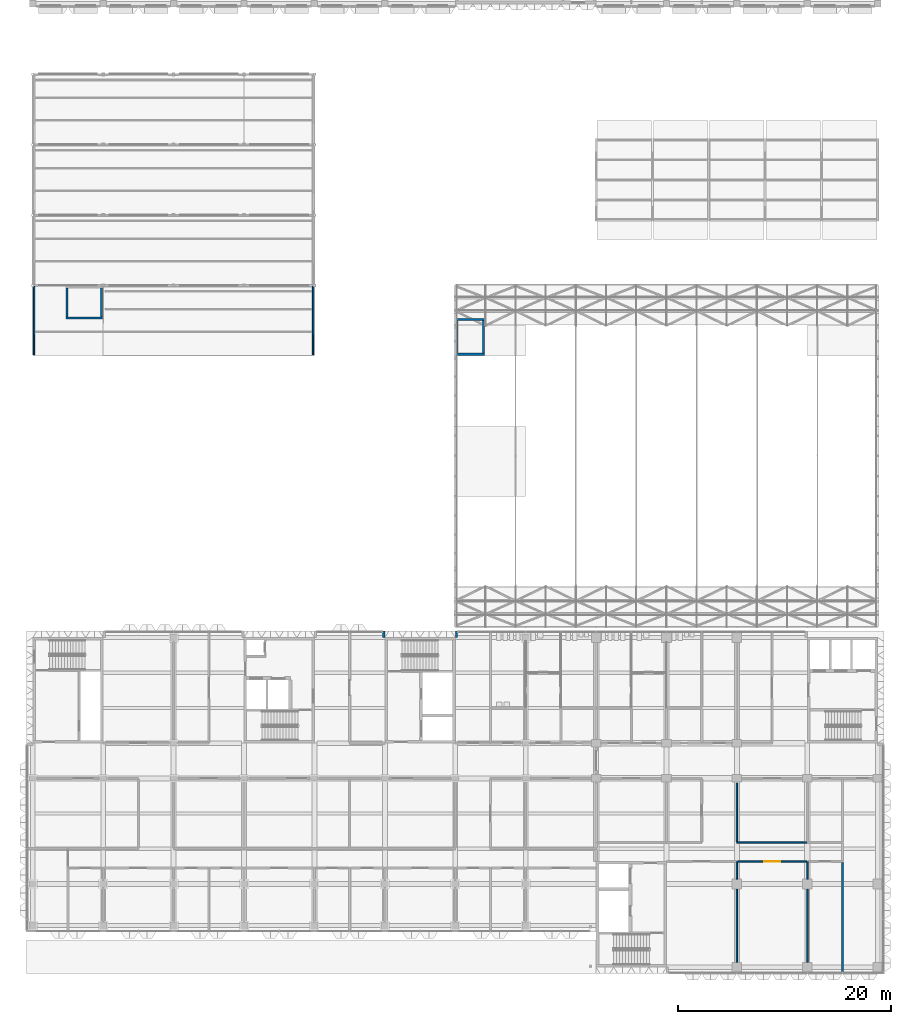
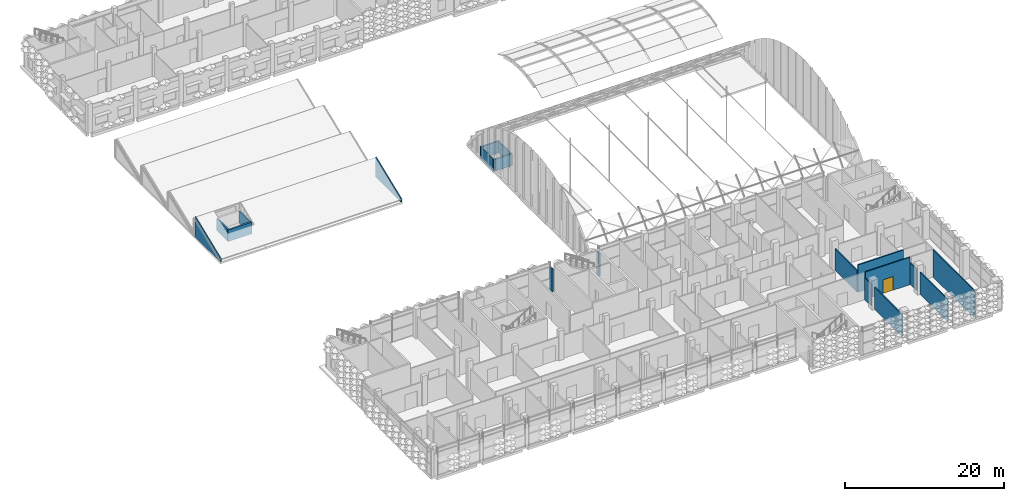
# One storey, part 54 of 109: 19 walls, 1 door, 1 opening.
"""IFC4 building model written with IfcOpenShell, lengths in metres."""

from ifc_helpers import new_model, si_unit, direction, frame, frame_2d, origin, place, context, subcontext, project, spatial, polyline, rectangle, outline, extrude, material, layer, layer_set, type_object, element, fill, save


model = new_model("IFC4")

# Units and contexts
model_context = context("Model", 3, precision=1e-05, world=origin(), true_north=direction((0.0, 1.0)))
body_context = subcontext(model_context, "Body", "Model", "MODEL_VIEW")
ifc_project = project(units=[si_unit("LENGTHUNIT", "METRE"), si_unit("AREAUNIT", "SQUARE_METRE"), si_unit("VOLUMEUNIT", "CUBIC_METRE"), si_unit("PLANEANGLEUNIT", "RADIAN"), si_unit("MASSUNIT", "GRAM", prefix="KILO")], contexts=[model_context])

# Site, building, storey
site_placement = place(None, origin())
site = spatial("IfcSite", under=ifc_project, at=site_placement, CompositionType="ELEMENT")
building_placement = place(site_placement, origin())
building = spatial("IfcBuilding", under=site, at=building_placement, Name="Lantern Court Research Institute", CompositionType="ELEMENT")
storey_placement = place(building_placement, frame((0.0, 0.0, 14.39990234375)))
storey = spatial("IfcBuildingStorey", under=building, at=storey_placement, Name="L03", CompositionType="ELEMENT", Elevation=14.39990234375)

# Walls
ifc_material_1 = material(Name="Reinforced masonry, concrete block C20/25", Category="masonry")
ifc_layer_1 = layer(ifc_material_1, 0.14990234375)
ifc_layer_set_1 = layer_set([ifc_layer_1], Name="Reinforced masonry, concrete block C20/25")
wall_type_1 = type_object("IfcWallType", Name="Clerestory upstand wall 150", PredefinedType="SOLIDWALL", material=ifc_layer_set_1)
for number, where, z_axis, x_axis, name in (
    (1, (0.1298828125, 49.625, 0.0), (0.0, 0.0, 1.0), (0.0, 1.0, 0.0), "Sawtooth end wall"),
    (2, (26.27001953125, 49.625, 0.0), (0.0, 0.0, 1.0), (0.0, 1.0, 0.0), "Sawtooth end wall"),
):
    element("IfcWall", number, at=place(storey_placement, frame(where, z_axis=z_axis, x_axis=x_axis)), inside=storey, type_object=wall_type_1, Name=name, PredefinedType="SOLIDWALL", context=body_context, shape_type="SweptSolid", body=[
        extrude(outline(polyline([(0.0, 0.0), (6.39990234375, 0.0), (6.39990234375, 3.019287109375), (0.0, 0.459228515625), (0.0, 0.0)])), frame((0.0, 0.074951171875, 0.0), z_axis=(0.0, -1.0, 0.0), x_axis=(1.0, 0.0, 0.0)), (0.0, 0.0, 1.0), 0.14990234375),
    ])
ifc_material_2 = material(Name="Fire-rated gypsum board partition, mineral wool filled")
ifc_layer_2 = layer(ifc_material_2, 0.14990234375)
ifc_layer_set_2 = layer_set([ifc_layer_2], Name="Fire-rated gypsum board partition, mineral wool filled")
wall_type_2 = type_object("IfcWallType", Name="Laboratory partition 150 EI 60", PredefinedType="PARTITIONING", material=ifc_layer_set_2)
wall_1_placement = place(storey_placement, frame((66.0, -7.35009765625, 0.0), z_axis=(0.0, 0.0, 1.0), x_axis=(0.0, 1.0, 0.0)))
element("IfcWall", 3, at=wall_1_placement, inside=storey, type_object=wall_type_2, Name="Laboratory partition 150 EI 60", PredefinedType="PARTITIONING", context=body_context, shape_type="SweptSolid", body=[
    extrude(rectangle(XDim=6.900146484375, YDim=0.14990234375, at=frame_2d((3.4501953125, 0.0))), origin(), (0.0, 0.0, 1.0), 3.400146484375),
])
wall_2_placement = place(storey_placement, frame((66.0, 0.449951171875, 0.0), z_axis=(0.0, 0.0, 1.0), x_axis=(0.0, 1.0, 0.0)))
element("IfcWall", 4, at=wall_2_placement, inside=storey, type_object=wall_type_2, Name="Laboratory partition 150 EI 60", PredefinedType="PARTITIONING", context=body_context, shape_type="SweptSolid", body=[
    extrude(rectangle(XDim=1.650146484375, YDim=0.14990234375, at=frame_2d((0.8251953125, 0.0))), origin(), (0.0, 0.0, 1.0), 3.300048828125),
])
wall_3_placement = place(storey_placement, frame((72.60009765625, -7.35009765625, 0.0), z_axis=(0.0, 0.0, 1.0), x_axis=(0.0, 1.0, 0.0)))
element("IfcWall", 5, at=wall_3_placement, inside=storey, type_object=wall_type_2, Name="Laboratory partition 150 EI 60", PredefinedType="PARTITIONING", context=body_context, shape_type="SweptSolid", body=[
    extrude(rectangle(XDim=6.900146484375, YDim=0.14990234375, at=frame_2d((3.4501953125, 0.0))), origin(), (0.0, 0.0, 1.0), 3.400146484375),
])
wall_4_placement = place(storey_placement, frame((72.60009765625, 0.449951171875, 0.0), z_axis=(0.0, 0.0, 1.0), x_axis=(0.0, 1.0, 0.0)))
element("IfcWall", 6, at=wall_4_placement, inside=storey, type_object=wall_type_2, Name="Laboratory partition 150 EI 60", PredefinedType="PARTITIONING", context=body_context, shape_type="SweptSolid", body=[
    extrude(rectangle(XDim=1.650146484375, YDim=0.14990234375, at=frame_2d((0.8251953125, 0.0))), origin(), (0.0, 0.0, 1.0), 3.300048828125),
])

# Wall, opening, door
wall_5_placement = place(storey_placement, frame((72.52490234375, 2.10009765625, 0.0), z_axis=(0.0, 0.0, 1.0), x_axis=(-1.0, 0.0, 0.0)))
wall_5 = element("IfcWall", 7, at=wall_5_placement, inside=storey, type_object=wall_type_2, Name="Laboratory partition 150 EI 60", PredefinedType="PARTITIONING", context=body_context, shape_type="SweptSolid", body=[
    extrude(rectangle(XDim=6.449951171875, YDim=0.14990234375, at=frame_2d((3.22509765625, 0.0))), origin(), (0.0, 0.0, 1.0), 4.2001953125),
])
opening_placement = place(wall_5_placement, frame((2.47509765625, 0.0, 0.0)))
opening = element("IfcOpeningElement", 8, at=opening_placement, cuts=wall_5, Name="Opening D5310", PredefinedType="OPENING", context=body_context, shape_type="SweptSolid", body=[
    extrude(rectangle(XDim=1.5, YDim=2.10009765625, at=frame_2d((0.75, 1.050048828125))), frame((0.0, 0.0849609375, 0.0), z_axis=(0.0, -1.0, 0.0), x_axis=(1.0, 0.0, 0.0)), (0.0, 0.0, 1.0), 0.169921875),
])
ifc_material_3 = material(Name="Solid-core timber door leaf with vision panel", Category="wood")
ifc_layer_3 = layer(ifc_material_3, 0.053955078125)
ifc_layer_set_3 = layer_set([ifc_layer_3], Name="Solid-core timber door leaf with vision panel")
door_type = type_object("IfcDoorType", Name="Laboratory double door 1500 x 2100 pair FD30S", OperationType="DOUBLE_DOOR_SINGLE_SWING", PredefinedType="DOOR", material=ifc_layer_set_3)
door_placement = place(opening_placement, origin())
door = element("IfcDoor", 9, at=door_placement, inside=storey, type_object=door_type, Name="Door D5310", OperationType="DOUBLE_DOOR_SINGLE_SWING", OverallHeight=2.10009765625, OverallWidth=1.5, PredefinedType="DOOR", context=body_context, shape_type="SweptSolid", body=[
    extrude(rectangle(XDim=1.5, YDim=2.10009765625, at=frame_2d((0.75, 1.050048828125))), frame((0.0, 0.02685546875, 0.0), z_axis=(0.0, -1.0, 0.0), x_axis=(1.0, 0.0, 0.0)), (0.0, 0.0, 1.0), 0.053955078125),
])
fill(opening, door)

# Walls
wall_6_placement = place(storey_placement, frame((75.89990234375, -8.25, 0.0), z_axis=(0.0, 0.0, 1.0), x_axis=(0.0, 1.0, 0.0)))
element("IfcWall", 10, at=wall_6_placement, inside=storey, type_object=wall_type_2, Name="Laboratory partition 150 EI 60", PredefinedType="PARTITIONING", context=body_context, shape_type="SweptSolid", body=[
    extrude(rectangle(XDim=10.27490234375, YDim=0.14990234375, at=frame_2d((5.137451171875, 0.0))), origin(), (0.0, 0.0, 1.0), 4.2001953125),
])
wall_7_placement = place(storey_placement, frame((72.60009765625, 3.89990234375, 0.0), z_axis=(0.0, 0.0, 1.0), x_axis=(-1.0, 0.0, 0.0)))
element("IfcWall", 11, at=wall_7_placement, inside=storey, type_object=wall_type_2, Name="Laboratory partition 150 EI 60", PredefinedType="PARTITIONING", context=body_context, shape_type="SweptSolid", body=[
    extrude(rectangle(XDim=6.60009765625, YDim=0.14990234375, at=frame_2d((3.300048828125, 0.0))), origin(), (0.0, 0.0, 1.0), 4.2001953125),
])
wall_8_placement = place(storey_placement, frame((66.0, 3.97509765625, 0.0), z_axis=(0.0, 0.0, 1.0), x_axis=(0.0, 1.0, 0.0)))
element("IfcWall", 12, at=wall_8_placement, inside=storey, type_object=wall_type_2, Name="Laboratory partition 150 EI 60", PredefinedType="PARTITIONING", context=body_context, shape_type="SweptSolid", body=[
    extrude(rectangle(XDim=5.474853515625, YDim=0.14990234375, at=frame_2d((2.7373046875, 0.0))), origin(), (0.0, 0.0, 1.0), 3.300048828125),
])
ifc_material_4 = material(Name="Concrete C40/50", Category="concrete")
ifc_layer_4 = layer(ifc_material_4, 0.199951171875)
ifc_layer_set_4 = layer_set([ifc_layer_4], Name="Concrete C40/50")
wall_type_3 = type_object("IfcWallType", Name="RC lift overrun wall 200", PredefinedType="SHEAR", material=ifc_layer_set_4)
wall_9_placement = place(storey_placement, frame((3.10009765625, 53.050048828125, 0.0), z_axis=(0.0, 0.0, 1.0), x_axis=(1.0, 0.0, 0.0)))
element("IfcWall", 13, at=wall_9_placement, inside=storey, type_object=wall_type_3, Name="Lift overrun wall of core CC-A (south)", PredefinedType="SHEAR", context=body_context, shape_type="SweptSolid", body=[
    extrude(rectangle(XDim=3.449951171875, YDim=0.199951171875, at=frame_2d((1.72509765625, 0.0))), origin(), (0.0, 0.0, 1.0), 1.800048828125),
])
for number, where, z_axis, x_axis, name in (
    (14, (3.199951171875, 53.14990234375, 0.0), (0.0, 0.0, 1.0), (0.0, 1.0, 0.0), "Lift overrun wall of core CC-A (west)"),
    (15, (6.449951171875, 53.14990234375, 0.0), (0.0, 0.0, 1.0), (0.0, 1.0, 0.0), "Lift overrun wall of core CC-A (east)"),
    (16, (39.64990234375, 49.64990234375, 0.0), (0.0, 0.0, 1.0), (1.0, 0.0, 0.0), "Lift overrun wall of core HC-A (south)"),
    (17, (39.64990234375, 52.89990234375, 0.0), (0.0, 0.0, 1.0), (1.0, 0.0, 0.0), "Lift overrun wall of core HC-A (north)"),
):
    element("IfcWall", number, at=place(storey_placement, frame(where, z_axis=z_axis, x_axis=x_axis)), inside=storey, type_object=wall_type_3, Name=name, PredefinedType="SHEAR", context=body_context, shape_type="SweptSolid", body=[
        extrude(rectangle(XDim=2.7001953125, YDim=0.199951171875, at=frame_2d((1.35009765625, 0.0))), origin(), (0.0, 0.0, 1.0), 1.800048828125),
    ])
for number, where, z_axis, x_axis, name in (
    (18, (39.75, 49.75, 0.0), (0.0, 0.0, 1.0), (0.0, 1.0, 0.0), "Lift overrun wall of core HC-A (west)"),
    (19, (42.25, 49.75, 0.0), (0.0, 0.0, 1.0), (0.0, 1.0, 0.0), "Lift overrun wall of core HC-A (east)"),
):
    element("IfcWall", number, at=place(storey_placement, frame(where, z_axis=z_axis, x_axis=x_axis)), inside=storey, type_object=wall_type_3, Name=name, PredefinedType="SHEAR", context=body_context, shape_type="SweptSolid", body=[
        extrude(rectangle(XDim=3.050048828125, YDim=0.199951171875, at=frame_2d((1.52490234375, 0.0))), origin(), (0.0, 0.0, 1.0), 1.800048828125),
    ])
ifc_material_5 = material(Name="Concrete C40/50", Category="concrete")
ifc_layer_5 = layer(ifc_material_5, 0.199951171875)
ifc_layer_set_5 = layer_set([ifc_layer_5], Name="Concrete C40/50")
wall_type_4 = type_object("IfcWallType", Name="Return wall 200 concrete EI 120 aluminium faced", PredefinedType="STANDARD", material=ifc_layer_set_5)
for number, where, z_axis, x_axis, name in (
    (20, (32.89990234375, 23.10009765625, 0.0), (0.0, 0.0, 1.0), (0.0, 1.0, 0.0), "Core return wall 36"),
    (21, (39.699951171875, 23.10009765625, 0.0), (0.0, 0.0, 1.0), (0.0, 1.0, 0.0), "Core return wall 37"),
):
    element("IfcWall", number, at=place(storey_placement, frame(where, z_axis=z_axis, x_axis=x_axis)), inside=storey, type_object=wall_type_4, Name=name, PredefinedType="STANDARD", context=body_context, shape_type="SweptSolid", body=[
        extrude(rectangle(XDim=0.599853515625, YDim=0.199951171875, at=frame_2d((0.2998046875, 0.0))), origin(), (0.0, 0.0, 1.0), 3.5),
    ])

save(model, "model.ifc")
